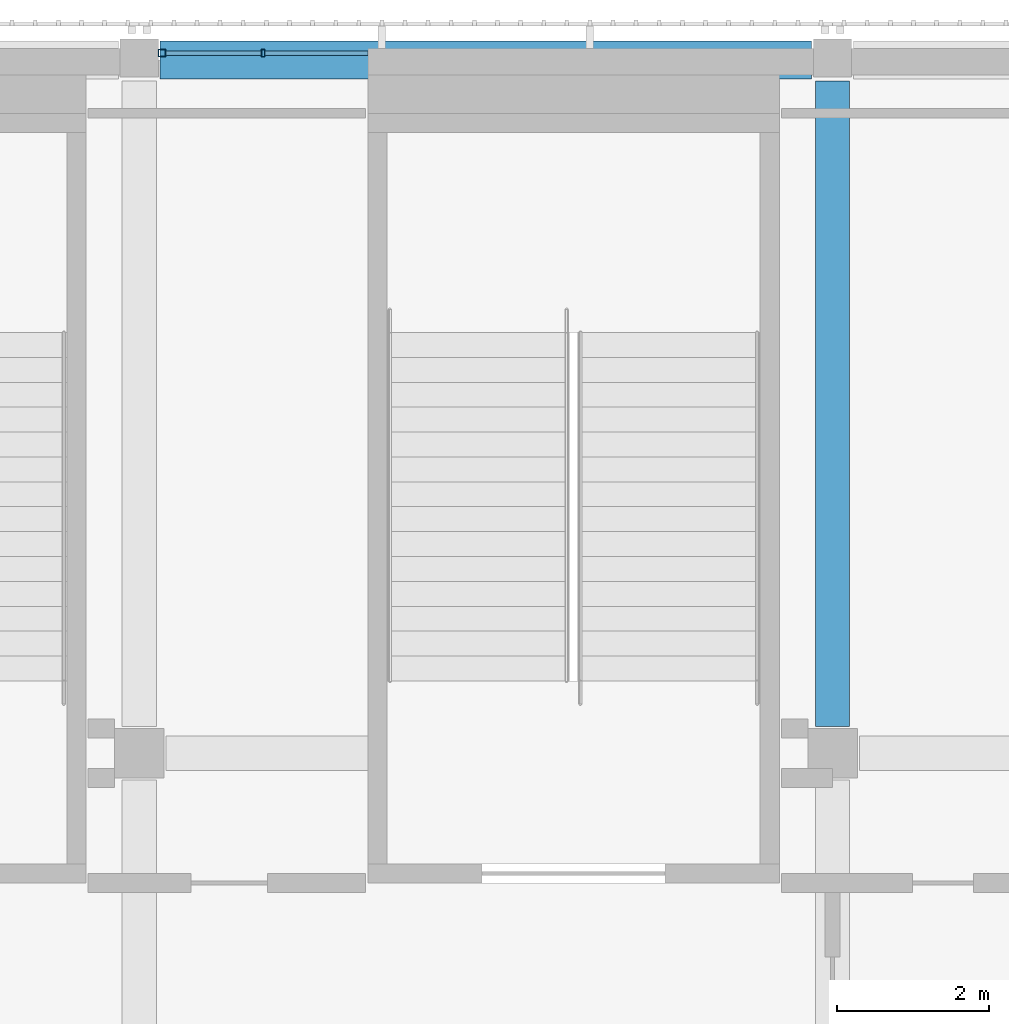
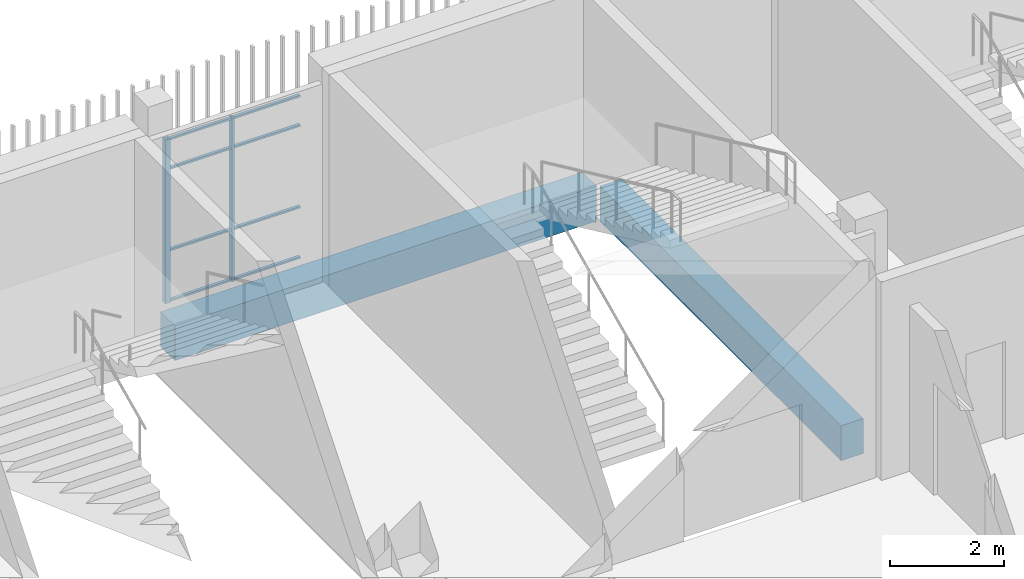
# One storey, part 42 of 104: 10 members, 2 beams, 1 element without a shape of its own.
"""IFC4 building model written with IfcOpenShell, lengths in metres."""

from ifc_helpers import new_model, si_unit, direction, frame, origin, origin_2d, place, context, subcontext, project, spatial, rectangle, hollow_rectangle, extrude, material, layer, layer_set, material_profile, profile_set, type_object, element, aggregate, save


model = new_model("IFC4")

# Units and contexts
model_context = context("Model", 3, precision=1e-05, world=origin(), true_north=direction((0.0, 1.0)))
body_context = subcontext(model_context, "Body", "Model", "MODEL_VIEW")
ifc_project = project(units=[si_unit("LENGTHUNIT", "METRE"), si_unit("AREAUNIT", "SQUARE_METRE"), si_unit("VOLUMEUNIT", "CUBIC_METRE"), si_unit("PLANEANGLEUNIT", "RADIAN"), si_unit("MASSUNIT", "GRAM", prefix="KILO")], contexts=[model_context])

# Site, building, storey
site_placement = place(None, origin())
site = spatial("IfcSite", under=ifc_project, at=site_placement, CompositionType="ELEMENT")
building_placement = place(site_placement, origin())
building = spatial("IfcBuilding", under=site, at=building_placement, Name="Shirokan Park Arena", CompositionType="ELEMENT")
storey_placement = place(building_placement, frame((0.0, 0.0, 10.919921875)))
storey = spatial("IfcBuildingStorey", under=building, at=storey_placement, Name="L02", CompositionType="ELEMENT", Elevation=10.919921875)

# Curtain wall, members
ifc_material_1 = material(Name="Steel and glass curtain wall", Category="steel")
ifc_layer = layer(ifc_material_1, 0.1201171875)
ifc_layer_set = layer_set([ifc_layer], Name="Steel and glass curtain wall 120 mm")
curtain_wall_type = type_object("IfcCurtainWallType", Name="Curtain wall corner block side bay 120", PredefinedType="NOTDEFINED", material=ifc_layer_set)
curtain_wall_placement = place(storey_placement, origin())
curtain_wall = element("IfcCurtainWall", 1, at=curtain_wall_placement, inside=storey, type_object=curtain_wall_type, Name="Curtain wall north bay 2 L02", PredefinedType="NOTDEFINED")
ifc_material_2 = material(Name="Steel S355", Category="steel")
ifc_material_profile_1 = material_profile(ifc_material_2, hollow_rectangle(XDim=0.10009765625, YDim=0.10009765625, WallThickness=0.006103515625, at=origin_2d()), Name="RHS 100x100x6")
ifc_profile_set_1 = profile_set([ifc_material_profile_1], Name="Steel S355")
member_type_1 = type_object("IfcMemberType", Name="Mullion RHS 100x100x6", PredefinedType="MULLION", material=ifc_profile_set_1)
member_1_placement = place(storey_placement, frame((127.699951171875, 109.2900390625, 0.0), z_axis=(0.0, 0.0, 1.0), x_axis=(0.0, -1.0, 0.0)))
member_1 = element("IfcMember", 2, at=member_1_placement, type_object=member_type_1, Name="CW3 mullion 3", PredefinedType="MULLION", context=body_context, shape_type="SweptSolid", body=[
    extrude(hollow_rectangle(XDim=0.10009765625, YDim=0.10009765625, WallThickness=0.006103515625, at=origin_2d()), origin(), (0.0, 0.0, 1.0), 3.5),
])
ifc_material_profile_2 = material_profile(ifc_material_2, hollow_rectangle(XDim=0.10009765625, YDim=0.050048828125, WallThickness=0.0048828125, at=origin_2d()), Name="RHS 100x50x5")
ifc_profile_set_2 = profile_set([ifc_material_profile_2], Name="Steel S355")
member_type_2 = type_object("IfcMemberType", Name="Mullion RHS 100x50x5", PredefinedType="MULLION", material=ifc_profile_set_2)
member_2_placement = place(storey_placement, frame((129.02490234375, 109.2900390625, 0.0), z_axis=(0.0, 0.0, 1.0), x_axis=(0.0, -1.0, 0.0)))
member_2 = element("IfcMember", 3, at=member_2_placement, type_object=member_type_2, Name="CW3 mullion 2", PredefinedType="MULLION", context=body_context, shape_type="SweptSolid", body=[
    extrude(hollow_rectangle(XDim=0.10009765625, YDim=0.050048828125, WallThickness=0.0048828125, at=origin_2d()), origin(), (0.0, 0.0, 1.0), 3.5),
])

# Beams
ifc_material_3 = material(Name="Concrete C35", Category="concrete")
ifc_material_profile_3 = material_profile(ifc_material_3, rectangle(XDim=0.449951171875, YDim=0.75, at=origin_2d()), Name="450x750")
ifc_profile_set_3 = profile_set([ifc_material_profile_3], Name="Concrete C35")
beam_type_1 = type_object("IfcBeamType", Name="RC girder 450x750", PredefinedType="BEAM", material=ifc_profile_set_3)
beam_1_placement = place(storey_placement, frame((136.5, 100.4501953125, -0.6748046875), z_axis=(0.0, 1.0, 0.0), x_axis=(-1.0, 0.0, 0.0)))
element("IfcBeam", 4, at=beam_1_placement, inside=storey, type_object=beam_type_1, Name="Girder 16M-16N L02", PredefinedType="BEAM", context=body_context, shape_type="SweptSolid", body=[
    extrude(rectangle(XDim=0.449951171875, YDim=0.75, at=origin_2d()), origin(), (0.0, 0.0, 1.0), 8.474609375),
])
ifc_material_profile_4 = material_profile(ifc_material_3, rectangle(XDim=0.5, YDim=0.75, at=origin_2d()), Name="500x750")
ifc_profile_set_4 = profile_set([ifc_material_profile_4], Name="Concrete C35")
beam_type_2 = type_object("IfcBeamType", Name="RC girder 500x750", PredefinedType="BEAM", material=ifc_profile_set_4)
beam_2_placement = place(storey_placement, frame((127.675048828125, 109.199951171875, -0.6748046875), z_axis=(1.0, 0.0, 0.0), x_axis=(0.0, 1.0, 0.0)))
element("IfcBeam", 5, at=beam_2_placement, inside=storey, type_object=beam_type_2, Name="Girder 15N-16N L02", PredefinedType="BEAM", context=body_context, shape_type="SweptSolid", body=[
    extrude(rectangle(XDim=0.5, YDim=0.75, at=origin_2d()), origin(), (0.0, 0.0, 1.0), 8.5498046875),
])

# Member
ifc_material_profile_5 = material_profile(ifc_material_2, hollow_rectangle(XDim=0.06005859375, YDim=0.0400390625, WallThickness=0.00390625, at=origin_2d()), Name="RHS 60x40x4")
ifc_profile_set_5 = profile_set([ifc_material_profile_5], Name="Steel S355")
member_type_3 = type_object("IfcMemberType", Name="Transom RHS 60x40x4", PredefinedType="MULLION", material=ifc_profile_set_5)
member_3_placement = place(storey_placement, frame((130.39990234375, 109.2900390625, 0.02001953125), z_axis=(-1.0, 0.0, 0.0), x_axis=(0.0, -1.0, 0.0)))
member_3 = element("IfcMember", 6, at=member_3_placement, type_object=member_type_3, Name="CW3 transom 1.1", PredefinedType="MULLION", context=body_context, shape_type="SweptSolid", body=[
    extrude(hollow_rectangle(XDim=0.06005859375, YDim=0.0400390625, WallThickness=0.00390625, at=origin_2d()), origin(), (0.0, 0.0, 1.0), 1.349853515625),
])

member_4_placement = place(storey_placement, frame((130.39990234375, 109.2900390625, 1.10009765625), z_axis=(-1.0, 0.0, 0.0), x_axis=(0.0, -1.0, 0.0)))
member_4 = element("IfcMember", 7, at=member_4_placement, type_object=member_type_3, Name="CW3 transom 1.2", PredefinedType="MULLION", context=body_context, shape_type="SweptSolid", body=[
    extrude(hollow_rectangle(XDim=0.06005859375, YDim=0.0400390625, WallThickness=0.00390625, at=origin_2d()), origin(), (0.0, 0.0, 1.0), 1.349853515625),
])

member_5_placement = place(storey_placement, frame((130.39990234375, 109.2900390625, 2.85009765625), z_axis=(-1.0, 0.0, 0.0), x_axis=(0.0, -1.0, 0.0)))
member_5 = element("IfcMember", 8, at=member_5_placement, type_object=member_type_3, Name="CW3 transom 1.3", PredefinedType="MULLION", context=body_context, shape_type="SweptSolid", body=[
    extrude(hollow_rectangle(XDim=0.06005859375, YDim=0.0400390625, WallThickness=0.00390625, at=origin_2d()), origin(), (0.0, 0.0, 1.0), 1.349853515625),
])

member_6_placement = place(storey_placement, frame((130.39990234375, 109.2900390625, 3.47998046875), z_axis=(-1.0, 0.0, 0.0), x_axis=(0.0, -1.0, 0.0)))
member_6 = element("IfcMember", 9, at=member_6_placement, type_object=member_type_3, Name="CW3 transom 1.4", PredefinedType="MULLION", context=body_context, shape_type="SweptSolid", body=[
    extrude(hollow_rectangle(XDim=0.06005859375, YDim=0.0400390625, WallThickness=0.00390625, at=origin_2d()), origin(), (0.0, 0.0, 1.0), 1.349853515625),
])

member_7_placement = place(storey_placement, frame((129.0, 109.2900390625, 0.02001953125), z_axis=(-1.0, 0.0, 0.0), x_axis=(0.0, -1.0, 0.0)))
member_7 = element("IfcMember", 10, at=member_7_placement, type_object=member_type_3, Name="CW3 transom 2.1", PredefinedType="MULLION", context=body_context, shape_type="SweptSolid", body=[
    extrude(hollow_rectangle(XDim=0.06005859375, YDim=0.0400390625, WallThickness=0.00390625, at=origin_2d()), origin(), (0.0, 0.0, 1.0), 1.25),
])

member_8_placement = place(storey_placement, frame((129.0, 109.2900390625, 1.10009765625), z_axis=(-1.0, 0.0, 0.0), x_axis=(0.0, -1.0, 0.0)))
member_8 = element("IfcMember", 11, at=member_8_placement, type_object=member_type_3, Name="CW3 transom 2.2", PredefinedType="MULLION", context=body_context, shape_type="SweptSolid", body=[
    extrude(hollow_rectangle(XDim=0.06005859375, YDim=0.0400390625, WallThickness=0.00390625, at=origin_2d()), origin(), (0.0, 0.0, 1.0), 1.25),
])

member_9_placement = place(storey_placement, frame((129.0, 109.2900390625, 2.85009765625), z_axis=(-1.0, 0.0, 0.0), x_axis=(0.0, -1.0, 0.0)))
member_9 = element("IfcMember", 12, at=member_9_placement, type_object=member_type_3, Name="CW3 transom 2.3", PredefinedType="MULLION", context=body_context, shape_type="SweptSolid", body=[
    extrude(hollow_rectangle(XDim=0.06005859375, YDim=0.0400390625, WallThickness=0.00390625, at=origin_2d()), origin(), (0.0, 0.0, 1.0), 1.25),
])

member_10_placement = place(storey_placement, frame((129.0, 109.2900390625, 3.47998046875), z_axis=(-1.0, 0.0, 0.0), x_axis=(0.0, -1.0, 0.0)))
member_10 = element("IfcMember", 13, at=member_10_placement, type_object=member_type_3, Name="CW3 transom 2.4", PredefinedType="MULLION", context=body_context, shape_type="SweptSolid", body=[
    extrude(hollow_rectangle(XDim=0.06005859375, YDim=0.0400390625, WallThickness=0.00390625, at=origin_2d()), origin(), (0.0, 0.0, 1.0), 1.25),
])

aggregate(curtain_wall, [member_2, member_1, member_3, member_4, member_5, member_6, member_7, member_8, member_9, member_10])

save(model, "model.ifc")
